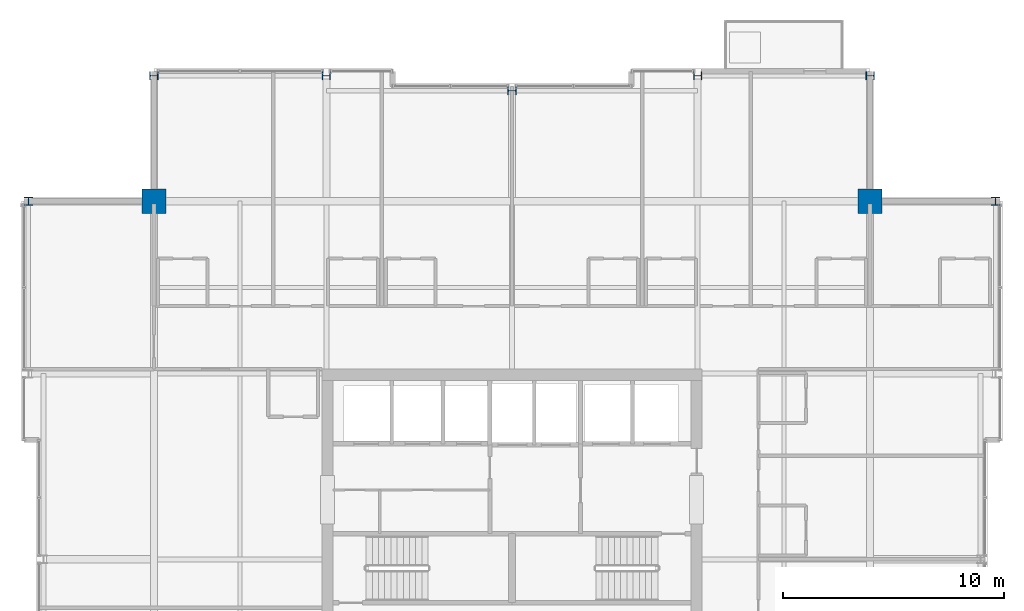
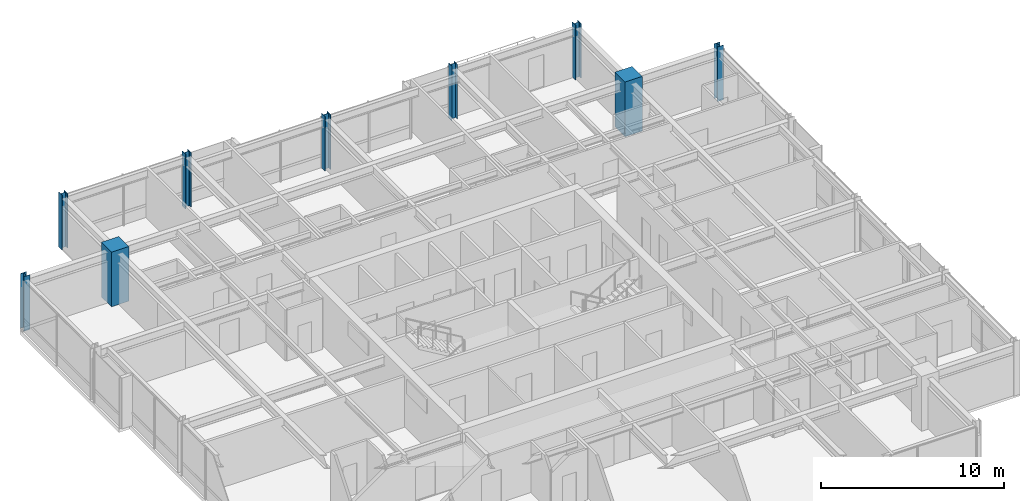
# One storey, part 2 of 33: 9 columns.
"""IFC4 building model written with IfcOpenShell, lengths in metres."""

from ifc_helpers import new_model, si_unit, direction, frame, origin, origin_2d, place, context, subcontext, project, spatial, rectangle, i_section, extrude, material, material_profile, profile_set, type_object, element, save


model = new_model("IFC4")

# Units and contexts
model_context = context("Model", 3, precision=1e-05, world=origin(), true_north=direction((0.0, 1.0)))
body_context = subcontext(model_context, "Body", "Model", "MODEL_VIEW")
ifc_project = project(units=[si_unit("LENGTHUNIT", "METRE"), si_unit("AREAUNIT", "SQUARE_METRE"), si_unit("VOLUMEUNIT", "CUBIC_METRE"), si_unit("PLANEANGLEUNIT", "RADIAN"), si_unit("MASSUNIT", "GRAM", prefix="KILO")], contexts=[model_context])

# Site, building, storey
site_placement = place(None, origin())
site = spatial("IfcSite", under=ifc_project, at=site_placement, CompositionType="ELEMENT")
building_placement = place(site_placement, origin())
building = spatial("IfcBuilding", under=site, at=building_placement, Name="Drelvath Grand Hotel", CompositionType="ELEMENT")
storey_placement = place(building_placement, frame((0.0, 0.0, 268.64990234375)))
storey = spatial("IfcBuildingStorey", under=building, at=storey_placement, Name="L70", CompositionType="ELEMENT", Elevation=268.64990234375)

# Columns
ifc_material_1 = material(Name="Concrete f'c 55 MPa", Category="concrete")
ifc_material_profile_1 = material_profile(ifc_material_1, rectangle(XDim=1.10009765625, YDim=1.10009765625, at=origin_2d()), Name="MC1100X1100")
ifc_profile_set_1 = profile_set([ifc_material_profile_1], Name="Concrete f'c 55 MPa")
column_type_1 = type_object("IfcColumnType", Name="Composite Mega Column MC1100X1100", PredefinedType="COLUMN", material=ifc_profile_set_1)
for number, where, z_axis, x_axis, name in (
    (1, (-16.199951171875, 43.199951171875, 0.0), (0.0, 0.0, 1.0), (1.0, 0.0, 0.0), "L70 Composite Mega Column MC-NW"),
    (2, (16.199951171875, 43.199951171875, 0.0), (0.0, 0.0, 1.0), (1.0, 0.0, 0.0), "L70 Composite Mega Column MC-NE"),
):
    element("IfcColumn", number, at=place(storey_placement, frame(where, z_axis=z_axis, x_axis=x_axis)), inside=storey, type_object=column_type_1, Name=name, PredefinedType="COLUMN", context=body_context, shape_type="SweptSolid", body=[
        extrude(rectangle(XDim=1.10009765625, YDim=1.10009765625, at=origin_2d()), origin(), (0.0, 0.0, 1.0), 3.650146484375),
    ])
ifc_material_2 = material(Name="Steel ASTM A913 Gr 65", Category="steel")
ifc_material_profile_2 = material_profile(ifc_material_2, i_section(OverallWidth=0.3740234375, OverallDepth=0.372314453125, WebThickness=0.016357421875, FlangeThickness=0.026123046875, FilletRadius=0.02490234375, at=origin_2d()), Name="W14X132")
ifc_profile_set_2 = profile_set([ifc_material_profile_2], Name="Steel ASTM A913 Gr 65")
column_type_2 = type_object("IfcColumnType", Name="Perimeter Steel Column W14X132", PredefinedType="COLUMN", material=ifc_profile_set_2)
for number, where, z_axis, x_axis, name in (
    (3, (-21.8798828125, 43.199951171875, 0.0), (0.0, 0.0, 1.0), (1.0, 0.0, 0.0), "L70 Structural Column TCW-G"),
    (4, (21.8798828125, 43.199951171875, 0.0), (0.0, 0.0, 1.0), (1.0, 0.0, 0.0), "L70 Structural Column TCE-G"),
    (5, (-16.199951171875, 48.8798828125, 0.0), (0.0, 0.0, 1.0), (0.0, 1.0, 0.0), "L70 Structural Column TCN-3"),
    (6, (-8.39990234375, 48.8798828125, 0.0), (0.0, 0.0, 1.0), (0.0, 1.0, 0.0), "L70 Structural Column TCN-4"),
    (7, (0.0, 48.199951171875, 0.0), (0.0, 0.0, 1.0), (0.0, 1.0, 0.0), "L70 Structural Column TCN-5"),
    (8, (8.39990234375, 48.8798828125, 0.0), (0.0, 0.0, 1.0), (0.0, 1.0, 0.0), "L70 Structural Column TCN-6"),
    (9, (16.199951171875, 48.8798828125, 0.0), (0.0, 0.0, 1.0), (0.0, 1.0, 0.0), "L70 Structural Column TCN-7"),
):
    element("IfcColumn", number, at=place(storey_placement, frame(where, z_axis=z_axis, x_axis=x_axis)), inside=storey, type_object=column_type_2, Name=name, PredefinedType="COLUMN", context=body_context, shape_type="SweptSolid", body=[
        extrude(i_section(OverallWidth=0.3740234375, OverallDepth=0.372314453125, WebThickness=0.016357421875, FlangeThickness=0.026123046875, FilletRadius=0.02490234375, at=origin_2d()), origin(), (0.0, 0.0, 1.0), 3.647216796875),
    ])

save(model, "model.ifc")
